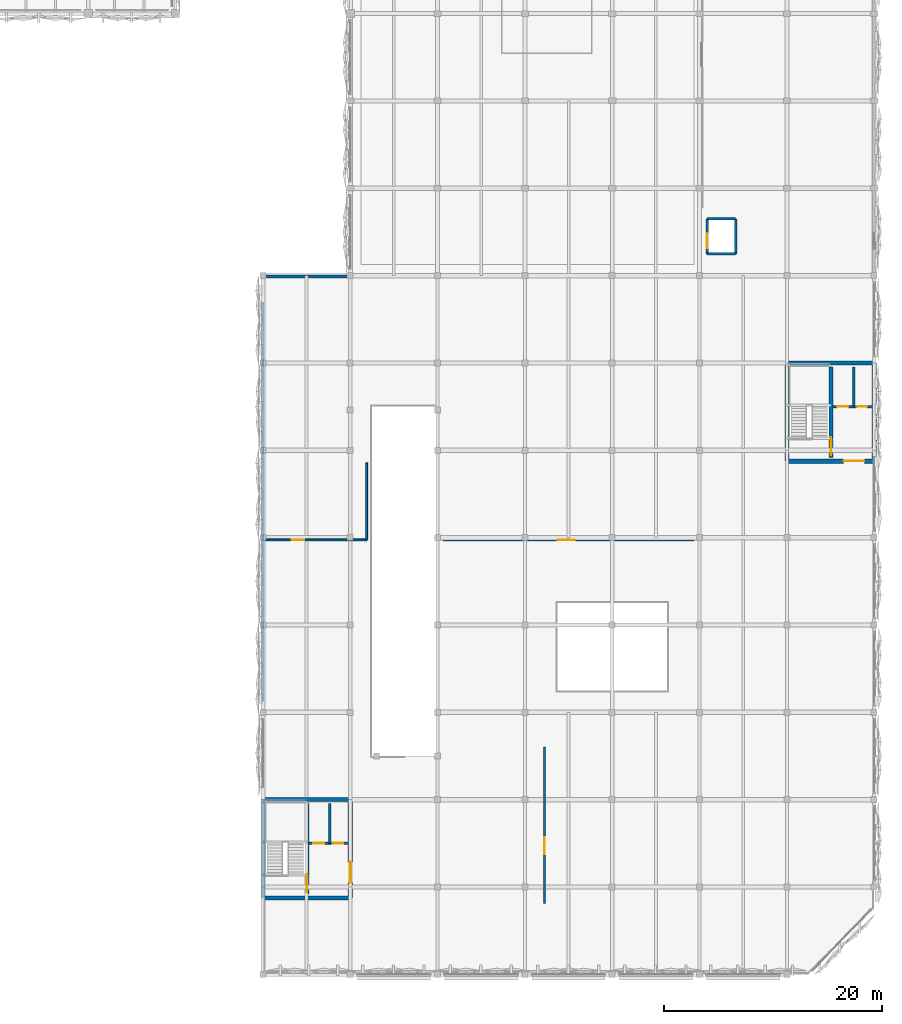
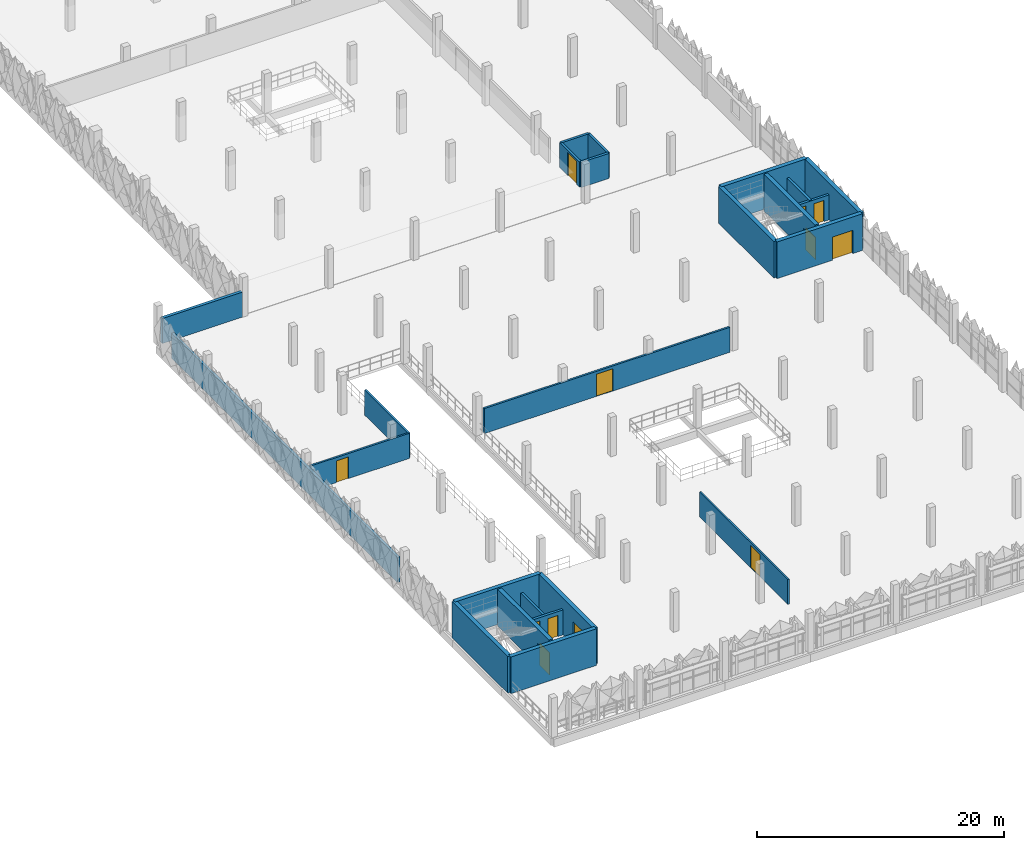
# One storey, part 42 of 83: 24 walls, 12 doors, 12 openings.
"""IFC4 building model written with IfcOpenShell, lengths in metres."""

from ifc_helpers import new_model, si_unit, derived_unit, direction, frame, frame_2d, origin, place, context, subcontext, project, spatial, rectangle, extrude, material, layer, layer_set, type_object, element, fill, save


model = new_model("IFC4")

# Units and contexts
model_context = context("Model", 3, precision=1e-05, world=origin(), true_north=direction((0.0, 1.0)))
body_context = subcontext(model_context, "Body", "Model", "MODEL_VIEW")
ifc_project = project(units=[si_unit("LENGTHUNIT", "METRE"), si_unit("AREAUNIT", "SQUARE_METRE"), si_unit("VOLUMEUNIT", "CUBIC_METRE"), si_unit("PLANEANGLEUNIT", "RADIAN"), si_unit("MASSUNIT", "GRAM", prefix="KILO"), si_unit("THERMODYNAMICTEMPERATUREUNIT", "KELVIN"), derived_unit("THERMALTRANSMITTANCEUNIT", [(si_unit("POWERUNIT", "WATT"), 1), (si_unit("AREAUNIT", "SQUARE_METRE"), -1), (si_unit("THERMODYNAMICTEMPERATUREUNIT", "KELVIN"), -1)])], contexts=[model_context])

# Site, building, storey
site_placement = place(None, origin())
site = spatial("IfcSite", under=ifc_project, at=site_placement, CompositionType="ELEMENT")
building_placement = place(site_placement, origin())
building = spatial("IfcBuilding", under=site, at=building_placement, Name="Haiyu Intermodal Mobility Hub", CompositionType="ELEMENT")
storey_placement = place(building_placement, frame((0.0, 0.0, 13.39990234375)))
storey = spatial("IfcBuildingStorey", under=building, at=storey_placement, Name="L03", CompositionType="ELEMENT", Elevation=13.39990234375)

# Walls
ifc_material_1 = material(Name="Anodised aluminium 6063-T6", Category="aluminium")
ifc_layer_1 = layer(ifc_material_1, 0.280029296875)
ifc_layer_set_1 = layer_set([ifc_layer_1], Name="Anodised aluminium 6063-T6")
wall_type_1 = type_object("IfcWallType", Name="WAL-WE02", PredefinedType="STANDARD", material=ifc_layer_set_1)
wall_1_placement = place(storey_placement, frame((161.7451171875, 79.89990234375, 0.0), z_axis=(0.0, 0.0, 1.0), x_axis=(-1.0, 0.0, 0.0)))
element("IfcWall", 1, at=wall_1_placement, inside=storey, type_object=wall_type_1, Name="WAL-V5NC-L03-156", PredefinedType="STANDARD", context=body_context, shape_type="SweptSolid", body=[
    extrude(rectangle(XDim=7.490234375, YDim=0.280029296875, at=frame_2d((3.7451171875, 0.0))), origin(), (0.0, 0.0, 1.0), 2.47998046875),
])
ifc_material_2 = material(Name="Autoclaved aerated concrete block A5.0", Category="concrete")
ifc_layer_2 = layer(ifc_material_2, 0.22998046875)
ifc_layer_set_2 = layer_set([ifc_layer_2], Name="Autoclaved aerated concrete block A5.0")
wall_type_2 = type_object("IfcWallType", Name="WAL-WI01", PredefinedType="PARTITIONING", material=ifc_layer_set_2)
wall_2_placement = place(storey_placement, frame((160.1298828125, 28.0, 0.0), z_axis=(0.0, 0.0, 1.0), x_axis=(0.0, 1.0, 0.0)))
element("IfcWall", 2, at=wall_2_placement, inside=storey, type_object=wall_type_2, Name="WAL-CORE-C8-LSH-L03", PredefinedType="PARTITIONING", context=body_context, shape_type="SweptSolid", body=[
    extrude(rectangle(XDim=3.64990234375, YDim=0.22998046875, at=frame_2d((1.824951171875, 0.0))), origin(), (0.0, 0.0, 1.0), 2.47998046875),
])

# Wall, openings, doors
wall_3_placement = place(storey_placement, frame((158.2099609375, 28.0, 0.0), z_axis=(0.0, 0.0, 1.0), x_axis=(1.0, 0.0, 0.0)))
wall_3 = element("IfcWall", 3, at=wall_3_placement, inside=storey, type_object=wall_type_2, Name="WAL-CORE-C8-LFT-L03", PredefinedType="PARTITIONING", context=body_context, shape_type="SweptSolid", body=[
    extrude(rectangle(XDim=3.630126953125, YDim=0.22998046875, at=frame_2d((1.81494140625, 0.0))), origin(), (0.0, 0.0, 1.0), 2.47998046875),
])
opening_1_placement = place(wall_3_placement, frame((0.3798828125, 0.0, 0.0)))
opening_1 = element("IfcOpeningElement", 4, at=opening_1_placement, cuts=wall_3, Name="Opening LD02", PredefinedType="OPENING", context=body_context, shape_type="SweptSolid", body=[
    extrude(rectangle(XDim=1.050048828125, YDim=2.14990234375, at=frame_2d((0.52490234375, 1.074951171875))), frame((0.0, 0.125, 0.0), z_axis=(0.0, -1.0, 0.0), x_axis=(1.0, 0.0, 0.0)), (0.0, 0.0, 1.0), 0.25),
])
opening_2_placement = place(wall_3_placement, frame((2.179931640625, 0.0, 0.0)))
opening_2 = element("IfcOpeningElement", 5, at=opening_2_placement, cuts=wall_3, Name="Opening DI07", PredefinedType="OPENING", context=body_context, shape_type="SweptSolid", body=[
    extrude(rectangle(XDim=0.949951171875, YDim=2.10009765625, at=frame_2d((0.47509765625, 1.050048828125))), frame((0.0, 0.125, 0.0), z_axis=(0.0, -1.0, 0.0), x_axis=(1.0, 0.0, 0.0)), (0.0, 0.0, 1.0), 0.25),
])
ifc_material_3 = material(Name="Steel Q355C", Category="steel")
door_type_1 = type_object("IfcDoorType", Name="DR-DI07", OperationType="NOTDEFINED", PredefinedType="DOOR", material=ifc_material_3)
door_1_placement = place(opening_2_placement, origin())
door_1 = element("IfcDoor", 6, at=door_1_placement, inside=storey, type_object=door_type_1, Name="Core C8 Accessible WC Door L03", OperationType="SINGLE_SWING_RIGHT", OverallHeight=2.10009765625, OverallWidth=0.949951171875, PredefinedType="DOOR", context=body_context, shape_type="SweptSolid", body=[
    extrude(rectangle(XDim=0.949951171875, YDim=2.10009765625, at=frame_2d((0.47509765625, 1.050048828125))), frame((0.0, 0.02490234375, 0.0), z_axis=(0.0, -1.0, 0.0), x_axis=(1.0, 0.0, 0.0)), (0.0, 0.0, 1.0), 0.050048828125),
])
fill(opening_2, door_1)
door_type_2 = type_object("IfcDoorType", Name="DR-LD02", OperationType="DOUBLE_DOOR_SLIDING", PredefinedType="DOOR", material=ifc_material_3)
door_2_placement = place(opening_1_placement, origin())
door_2 = element("IfcDoor", 7, at=door_2_placement, inside=storey, type_object=door_type_2, Name="Lift PL-03 Sliding Landing Door L03", OperationType="SLIDING_TO_LEFT", OverallHeight=2.14990234375, OverallWidth=1.050048828125, PredefinedType="DOOR", context=body_context, shape_type="SweptSolid", body=[
    extrude(rectangle(XDim=1.050048828125, YDim=2.14990234375, at=frame_2d((0.52490234375, 1.074951171875))), frame((0.0, 0.02490234375, 0.0), z_axis=(0.0, -1.0, 0.0), x_axis=(1.0, 0.0, 0.0)), (0.0, 0.0, 1.0), 0.050048828125),
])
fill(opening_1, door_2)

# Wall
wall_4_placement = place(storey_placement, frame((208.1298828125, 68.0, 0.0), z_axis=(0.0, 0.0, 1.0), x_axis=(0.0, 1.0, 0.0)))
element("IfcWall", 8, at=wall_4_placement, inside=storey, type_object=wall_type_2, Name="WAL-CORE-C9-LSH-L03", PredefinedType="PARTITIONING", context=body_context, shape_type="SweptSolid", body=[
    extrude(rectangle(XDim=3.64990234375, YDim=0.22998046875, at=frame_2d((1.824951171875, 0.0))), origin(), (0.0, 0.0, 1.0), 2.47998046875),
])

# Wall, openings, doors
wall_5_placement = place(storey_placement, frame((206.2099609375, 68.0, 0.0), z_axis=(0.0, 0.0, 1.0), x_axis=(1.0, 0.0, 0.0)))
wall_5 = element("IfcWall", 9, at=wall_5_placement, inside=storey, type_object=wall_type_2, Name="WAL-CORE-C9-LFT-L03", PredefinedType="PARTITIONING", context=body_context, shape_type="SweptSolid", body=[
    extrude(rectangle(XDim=3.630126953125, YDim=0.22998046875, at=frame_2d((1.81494140625, 0.0))), origin(), (0.0, 0.0, 1.0), 2.47998046875),
])
opening_3_placement = place(wall_5_placement, frame((0.3798828125, 0.0, 0.0)))
opening_3 = element("IfcOpeningElement", 10, at=opening_3_placement, cuts=wall_5, Name="Opening LD02", PredefinedType="OPENING", context=body_context, shape_type="SweptSolid", body=[
    extrude(rectangle(XDim=1.050048828125, YDim=2.14990234375, at=frame_2d((0.52490234375, 1.074951171875))), frame((0.0, 0.125, 0.0), z_axis=(0.0, -1.0, 0.0), x_axis=(1.0, 0.0, 0.0)), (0.0, 0.0, 1.0), 0.25),
])
opening_4_placement = place(wall_5_placement, frame((2.179931640625, 0.0, 0.0)))
opening_4 = element("IfcOpeningElement", 11, at=opening_4_placement, cuts=wall_5, Name="Opening DI07", PredefinedType="OPENING", context=body_context, shape_type="SweptSolid", body=[
    extrude(rectangle(XDim=0.949951171875, YDim=2.10009765625, at=frame_2d((0.47509765625, 1.050048828125))), frame((0.0, 0.125, 0.0), z_axis=(0.0, -1.0, 0.0), x_axis=(1.0, 0.0, 0.0)), (0.0, 0.0, 1.0), 0.25),
])
door_3_placement = place(opening_4_placement, origin())
door_3 = element("IfcDoor", 12, at=door_3_placement, inside=storey, type_object=door_type_1, Name="Core C9 Accessible WC Door L03", OperationType="SINGLE_SWING_RIGHT", OverallHeight=2.10009765625, OverallWidth=0.949951171875, PredefinedType="DOOR", context=body_context, shape_type="SweptSolid", body=[
    extrude(rectangle(XDim=0.949951171875, YDim=2.10009765625, at=frame_2d((0.47509765625, 1.050048828125))), frame((0.0, 0.02490234375, 0.0), z_axis=(0.0, -1.0, 0.0), x_axis=(1.0, 0.0, 0.0)), (0.0, 0.0, 1.0), 0.050048828125),
])
fill(opening_4, door_3)
door_4_placement = place(opening_3_placement, origin())
door_4 = element("IfcDoor", 13, at=door_4_placement, inside=storey, type_object=door_type_2, Name="Lift PL-04 Sliding Landing Door L03", OperationType="SLIDING_TO_LEFT", OverallHeight=2.14990234375, OverallWidth=1.050048828125, PredefinedType="DOOR", context=body_context, shape_type="SweptSolid", body=[
    extrude(rectangle(XDim=1.050048828125, YDim=2.14990234375, at=frame_2d((0.52490234375, 1.074951171875))), frame((0.0, 0.02490234375, 0.0), z_axis=(0.0, -1.0, 0.0), x_axis=(1.0, 0.0, 0.0)), (0.0, 0.0, 1.0), 0.050048828125),
])
fill(opening_3, door_4)

# Wall, opening, door
wall_6_placement = place(storey_placement, frame((194.699951171875, 82.0, 0.0), z_axis=(0.0, 0.0, 1.0), x_axis=(0.0, 1.0, 0.0)))
wall_6 = element("IfcWall", 14, at=wall_6_placement, inside=storey, type_object=wall_type_2, Name="WAL-GL-01-W-L03", PredefinedType="PARTITIONING", context=body_context, shape_type="SweptSolid", body=[
    extrude(rectangle(XDim=3.199951171875, YDim=0.22998046875, at=frame_2d((1.60009765625, 0.0))), origin(), (0.0, 0.0, 1.0), 2.47998046875),
])
opening_5_placement = place(wall_6_placement, frame((0.5, 0.0, 0.0)))
opening_5 = element("IfcOpeningElement", 15, at=opening_5_placement, cuts=wall_6, Name="Opening LD03", PredefinedType="OPENING", context=body_context, shape_type="SweptSolid", body=[
    extrude(rectangle(XDim=1.39990234375, YDim=2.300048828125, at=frame_2d((0.699951171875, 1.14990234375))), frame((0.0, 0.125, 0.0), z_axis=(0.0, -1.0, 0.0), x_axis=(1.0, 0.0, 0.0)), (0.0, 0.0, 1.0), 0.25),
])
door_type_3 = type_object("IfcDoorType", Name="DR-LD03", OperationType="DOUBLE_DOOR_SLIDING", PredefinedType="DOOR", material=ifc_material_3)
door_5_placement = place(opening_5_placement, origin())
door_5 = element("IfcDoor", 16, at=door_5_placement, inside=storey, type_object=door_type_3, Name="Goods Lift GL-01 Sliding Door L03", OperationType="SLIDING_TO_RIGHT", OverallHeight=2.300048828125, OverallWidth=1.39990234375, PredefinedType="DOOR", context=body_context, shape_type="SweptSolid", body=[
    extrude(rectangle(XDim=1.39990234375, YDim=2.300048828125, at=frame_2d((0.699951171875, 1.14990234375))), frame((0.0, 0.02490234375, 0.0), z_axis=(0.0, -1.0, 0.0), x_axis=(1.0, 0.0, 0.0)), (0.0, 0.0, 1.0), 0.050048828125),
])
fill(opening_5, door_5)

# Walls
wall_7_placement = place(storey_placement, frame((194.699951171875, 85.199951171875, 0.0), z_axis=(0.0, 0.0, 1.0), x_axis=(1.0, 0.0, 0.0)))
element("IfcWall", 17, at=wall_7_placement, inside=storey, type_object=wall_type_2, Name="WAL-GL-01-N-L03", PredefinedType="PARTITIONING", context=body_context, shape_type="SweptSolid", body=[
    extrude(rectangle(XDim=2.60009765625, YDim=0.22998046875, at=frame_2d((1.300048828125, 0.0))), origin(), (0.0, 0.0, 1.0), 2.47998046875),
])
wall_8_placement = place(storey_placement, frame((197.300048828125, 85.199951171875, 0.0), z_axis=(0.0, 0.0, 1.0), x_axis=(0.0, -1.0, 0.0)))
element("IfcWall", 18, at=wall_8_placement, inside=storey, type_object=wall_type_2, Name="WAL-GL-01-E-L03", PredefinedType="PARTITIONING", context=body_context, shape_type="SweptSolid", body=[
    extrude(rectangle(XDim=3.199951171875, YDim=0.22998046875, at=frame_2d((1.60009765625, 0.0))), origin(), (0.0, 0.0, 1.0), 2.47998046875),
])
wall_9_placement = place(storey_placement, frame((197.300048828125, 82.0, 0.0), z_axis=(0.0, 0.0, 1.0), x_axis=(-1.0, 0.0, 0.0)))
element("IfcWall", 19, at=wall_9_placement, inside=storey, type_object=wall_type_2, Name="WAL-GL-01-S-L03", PredefinedType="PARTITIONING", context=body_context, shape_type="SweptSolid", body=[
    extrude(rectangle(XDim=2.60009765625, YDim=0.22998046875, at=frame_2d((1.300048828125, 0.0))), origin(), (0.0, 0.0, 1.0), 2.47998046875),
])
wall_10_placement = place(storey_placement, frame((154.0, 41.0, 0.0), z_axis=(0.0, 0.0, 1.0), x_axis=(0.0, 1.0, 0.0)))
element("IfcWall", 20, at=wall_10_placement, inside=storey, type_object=wall_type_2, Name="WAL-INT-0012", PredefinedType="PARTITIONING", context=body_context, shape_type="SweptSolid", body=[
    extrude(rectangle(XDim=36.60009765625, YDim=0.22998046875, at=frame_2d((18.300048828125, 0.0))), origin(), (0.0, 0.0, 1.0), 2.47998046875),
])

# Wall, opening, door
ifc_layer_3 = layer(ifc_material_2, 0.179931640625)
ifc_layer_set_3 = layer_set([ifc_layer_3], Name="Autoclaved aerated concrete block A5.0")
wall_type_3 = type_object("IfcWallType", Name="WAL-WI03", PredefinedType="PARTITIONING", material=ifc_layer_set_3)
wall_11_placement = place(storey_placement, frame((154.14990234375, 55.800048828125, 0.0), z_axis=(0.0, 0.0, 1.0), x_axis=(1.0, 0.0, 0.0)))
wall_11 = element("IfcWall", 21, at=wall_11_placement, inside=storey, type_object=wall_type_3, Name="WAL-SHWR-L03", PredefinedType="PARTITIONING", context=body_context, shape_type="SweptSolid", body=[
    extrude(rectangle(XDim=9.35009765625, YDim=0.179931640625, at=frame_2d((4.675048828125, 0.0))), origin(), (0.0, 0.0, 1.0), 2.47998046875),
])
opening_6_placement = place(wall_11_placement, frame((2.5, 0.0, 0.0)))
opening_6 = element("IfcOpeningElement", 22, at=opening_6_placement, cuts=wall_11, Name="Opening DI05", PredefinedType="OPENING", context=body_context, shape_type="SweptSolid", body=[
    extrude(rectangle(XDim=1.14990234375, YDim=2.14990234375, at=frame_2d((0.574951171875, 1.074951171875))), frame((0.0, 0.10009765625, 0.0), z_axis=(0.0, -1.0, 0.0), x_axis=(1.0, 0.0, 0.0)), (0.0, 0.0, 1.0), 0.199951171875),
])
door_type_4 = type_object("IfcDoorType", Name="DR-DI05", OperationType="NOTDEFINED", PredefinedType="DOOR", material=ifc_material_3)
door_6_placement = place(opening_6_placement, origin())
door_6 = element("IfcDoor", 23, at=door_6_placement, inside=storey, type_object=door_type_4, Name="Cyclist Shower Door", OperationType="SINGLE_SWING_LEFT", OverallHeight=2.14990234375, OverallWidth=1.14990234375, PredefinedType="DOOR", context=body_context, shape_type="SweptSolid", body=[
    extrude(rectangle(XDim=1.14990234375, YDim=2.14990234375, at=frame_2d((0.574951171875, 1.074951171875))), frame((0.0, 0.02490234375, 0.0), z_axis=(0.0, -1.0, 0.0), x_axis=(1.0, 0.0, 0.0)), (0.0, 0.0, 1.0), 0.050048828125),
])
fill(opening_6, door_6)

# Wall
wall_12_placement = place(storey_placement, frame((163.5, 55.800048828125, 0.0), z_axis=(0.0, 0.0, 1.0), x_axis=(0.0, 1.0, 0.0)))
element("IfcWall", 24, at=wall_12_placement, inside=storey, type_object=wall_type_3, Name="WAL-SHWRE-L03", PredefinedType="PARTITIONING", context=body_context, shape_type="SweptSolid", body=[
    extrude(rectangle(XDim=7.050048828125, YDim=0.179931640625, at=frame_2d((3.52490234375, 0.0))), origin(), (0.0, 0.0, 1.0), 2.47998046875),
])

# Wall, opening, door
wall_13_placement = place(storey_placement, frame((170.5, 55.800048828125, 0.0), z_axis=(0.0, 0.0, 1.0), x_axis=(1.0, 0.0, 0.0)))
wall_13 = element("IfcWall", 25, at=wall_13_placement, inside=storey, type_object=wall_type_3, Name="WAL-INT-0036", PredefinedType="PARTITIONING", context=body_context, shape_type="SweptSolid", body=[
    extrude(rectangle(XDim=23.0, YDim=0.179931640625, at=frame_2d((11.5, 0.0))), origin(), (0.0, 0.0, 1.0), 2.47998046875),
])
opening_7_placement = place(wall_13_placement, frame((10.5, 0.0, 0.0)))
opening_7 = element("IfcOpeningElement", 26, at=opening_7_placement, cuts=wall_13, Name="Opening DI04", PredefinedType="OPENING", context=body_context, shape_type="SweptSolid", body=[
    extrude(rectangle(XDim=1.550048828125, YDim=2.199951171875, at=frame_2d((0.77490234375, 1.10009765625))), frame((0.0, 0.10009765625, 0.0), z_axis=(0.0, -1.0, 0.0), x_axis=(1.0, 0.0, 0.0)), (0.0, 0.0, 1.0), 0.199951171875),
])
door_type_5 = type_object("IfcDoorType", Name="DR-DI04", OperationType="DOUBLE_DOOR_SINGLE_SWING", PredefinedType="DOOR", material=ifc_material_3)
door_7_placement = place(opening_7_placement, origin())
door_7 = element("IfcDoor", 27, at=door_7_placement, inside=storey, type_object=door_type_5, Name="Safety Training Room Door", OperationType="DOUBLE_SWING_RIGHT", OverallHeight=2.199951171875, OverallWidth=1.550048828125, PredefinedType="DOOR", context=body_context, shape_type="SweptSolid", body=[
    extrude(rectangle(XDim=1.550048828125, YDim=2.199951171875, at=frame_2d((0.77490234375, 1.10009765625))), frame((0.0, 0.02490234375, 0.0), z_axis=(0.0, -1.0, 0.0), x_axis=(1.0, 0.0, 0.0)), (0.0, 0.0, 1.0), 0.050048828125),
])
fill(opening_7, door_7)

ifc_material_4 = material(Name="Fire-rated gypsum and rockwool partition", Category="gypsum")
ifc_layer_4 = layer(ifc_material_4, 0.14990234375)
ifc_layer_set_4 = layer_set([ifc_layer_4], Name="Fire-rated gypsum and rockwool partition")
wall_type_4 = type_object("IfcWallType", Name="WAL-WI04", PredefinedType="PARTITIONING", material=ifc_layer_set_4)
wall_14_placement = place(storey_placement, frame((179.800048828125, 22.5, 0.0), z_axis=(0.0, 0.0, 1.0), x_axis=(0.0, 1.0, 0.0)))
wall_14 = element("IfcWall", 28, at=wall_14_placement, inside=storey, type_object=wall_type_4, Name="WAL-INT-0037", PredefinedType="PARTITIONING", context=body_context, shape_type="SweptSolid", body=[
    extrude(rectangle(XDim=14.300048828125, YDim=0.14990234375, at=frame_2d((7.14990234375, 0.0))), origin(), (0.0, 0.0, 1.0), 2.47998046875),
])
opening_8_placement = place(wall_14_placement, frame((4.5, 0.0, 0.0)))
opening_8 = element("IfcOpeningElement", 29, at=opening_8_placement, cuts=wall_14, Name="Opening DI04", PredefinedType="OPENING", context=body_context, shape_type="SweptSolid", body=[
    extrude(rectangle(XDim=1.550048828125, YDim=2.199951171875, at=frame_2d((0.77490234375, 1.10009765625))), frame((0.0, 0.0849609375, 0.0), z_axis=(0.0, -1.0, 0.0), x_axis=(1.0, 0.0, 0.0)), (0.0, 0.0, 1.0), 0.169921875),
])
door_8_placement = place(opening_8_placement, origin())
door_8 = element("IfcDoor", 30, at=door_8_placement, inside=storey, type_object=door_type_5, Name="Espresso Cafe Door", OperationType="DOUBLE_SWING_LEFT", OverallHeight=2.199951171875, OverallWidth=1.550048828125, PredefinedType="DOOR", context=body_context, shape_type="SweptSolid", body=[
    extrude(rectangle(XDim=1.550048828125, YDim=2.199951171875, at=frame_2d((0.77490234375, 1.10009765625))), frame((0.0, 0.02490234375, 0.0), z_axis=(0.0, -1.0, 0.0), x_axis=(1.0, 0.0, 0.0)), (0.0, 0.0, 1.0), 0.050048828125),
])
fill(opening_8, door_8)

# Wall
ifc_material_5 = material(Name="Concrete C40", Category="concrete")
ifc_layer_5 = layer(ifc_material_5, 0.3798828125)
ifc_layer_set_5 = layer_set([ifc_layer_5], Name="Concrete C40")
wall_type_5 = type_object("IfcWallType", Name="WAL-WS03", PredefinedType="SHEAR", material=ifc_layer_set_5)
wall_15_placement = place(storey_placement, frame((154.0, 23.0, 0.0), z_axis=(0.0, 0.0, 1.0), x_axis=(1.0, 0.0, 0.0)))
element("IfcWall", 31, at=wall_15_placement, inside=storey, type_object=wall_type_5, Name="WAL-CORE-C8-S-L03", PredefinedType="SHEAR", context=body_context, shape_type="SweptSolid", body=[
    extrude(rectangle(XDim=8.0, YDim=0.3798828125, at=frame_2d((4.0, 0.0))), origin(), (0.0, 0.0, 1.0), 3.6201171875),
])

# Wall, opening, door
wall_16_placement = place(storey_placement, frame((162.0, 23.0, 0.0), z_axis=(0.0, 0.0, 1.0), x_axis=(0.0, 1.0, 0.0)))
wall_16 = element("IfcWall", 32, at=wall_16_placement, inside=storey, type_object=wall_type_5, Name="WAL-CORE-C8-E-L03", PredefinedType="SHEAR", context=body_context, shape_type="SweptSolid", body=[
    extrude(rectangle(XDim=9.0, YDim=0.3798828125, at=frame_2d((4.5, 0.0))), origin(), (0.0, 0.0, 1.0), 3.6201171875),
])
opening_9_placement = place(wall_16_placement, frame((1.39990234375, 0.0, 0.0)))
opening_9 = element("IfcOpeningElement", 33, at=opening_9_placement, cuts=wall_16, Name="Opening DI01", PredefinedType="OPENING", context=body_context, shape_type="SweptSolid", body=[
    extrude(rectangle(XDim=1.89990234375, YDim=2.300048828125, at=frame_2d((0.949951171875, 1.14990234375))), frame((0.0, 0.199951171875, 0.0), z_axis=(0.0, -1.0, 0.0), x_axis=(1.0, 0.0, 0.0)), (0.0, 0.0, 1.0), 0.39990234375),
])
door_type_6 = type_object("IfcDoorType", Name="DR-DI01", OperationType="DOUBLE_DOOR_SINGLE_SWING", PredefinedType="DOOR", material=ifc_material_3)
door_9_placement = place(opening_9_placement, origin())
door_9 = element("IfcDoor", 34, at=door_9_placement, inside=storey, type_object=door_type_6, Name="Core C8 Lobby Fire Door L03", OperationType="SINGLE_SWING_LEFT", OverallHeight=2.300048828125, OverallWidth=1.89990234375, PredefinedType="DOOR", context=body_context, shape_type="SweptSolid", body=[
    extrude(rectangle(XDim=1.89990234375, YDim=2.300048828125, at=frame_2d((0.949951171875, 1.14990234375))), frame((0.0, 0.02490234375, 0.0), z_axis=(0.0, -1.0, 0.0), x_axis=(1.0, 0.0, 0.0)), (0.0, 0.0, 1.0), 0.050048828125),
])
fill(opening_9, door_9)

# Walls
wall_17_placement = place(storey_placement, frame((162.0, 32.0, 0.0), z_axis=(0.0, 0.0, 1.0), x_axis=(-1.0, 0.0, 0.0)))
element("IfcWall", 35, at=wall_17_placement, inside=storey, type_object=wall_type_5, Name="WAL-CORE-C8-N-L03", PredefinedType="SHEAR", context=body_context, shape_type="SweptSolid", body=[
    extrude(rectangle(XDim=8.0, YDim=0.3798828125, at=frame_2d((4.0, 0.0))), origin(), (0.0, 0.0, 1.0), 3.6201171875),
])
wall_18_placement = place(storey_placement, frame((154.0, 32.0, 0.0), z_axis=(0.0, 0.0, 1.0), x_axis=(0.0, -1.0, 0.0)))
element("IfcWall", 36, at=wall_18_placement, inside=storey, type_object=wall_type_5, Name="WAL-CORE-C8-W-L03", PredefinedType="SHEAR", context=body_context, shape_type="SweptSolid", body=[
    extrude(rectangle(XDim=9.0, YDim=0.3798828125, at=frame_2d((4.5, 0.0))), origin(), (0.0, 0.0, 1.0), 3.6201171875),
])

# Wall, opening, door
wall_19_placement = place(storey_placement, frame((158.050048828125, 23.35009765625, 0.0), z_axis=(0.0, 0.0, 1.0), x_axis=(0.0, 1.0, 0.0)))
wall_19 = element("IfcWall", 37, at=wall_19_placement, inside=storey, type_object=wall_type_5, Name="WAL-CORE-C8-MID-L03", PredefinedType="SHEAR", context=body_context, shape_type="SweptSolid", body=[
    extrude(rectangle(XDim=8.2998046875, YDim=0.3798828125, at=frame_2d((4.14990234375, 0.0))), origin(), (0.0, 0.0, 1.0), 3.6201171875),
])
opening_10_placement = place(wall_19_placement, frame((0.179931640625, 0.0, 0.0)))
opening_10 = element("IfcOpeningElement", 38, at=opening_10_placement, cuts=wall_19, Name="Opening DI02", PredefinedType="OPENING", context=body_context, shape_type="SweptSolid", body=[
    extrude(rectangle(XDim=1.64990234375, YDim=2.199951171875, at=frame_2d((0.824951171875, 1.10009765625))), frame((0.0, 0.199951171875, 0.0), z_axis=(0.0, -1.0, 0.0), x_axis=(1.0, 0.0, 0.0)), (0.0, 0.0, 1.0), 0.39990234375),
])
door_type_7 = type_object("IfcDoorType", Name="DR-DI02", OperationType="DOUBLE_DOOR_SINGLE_SWING", PredefinedType="DOOR", material=ifc_material_3)
door_10_placement = place(opening_10_placement, origin())
door_10 = element("IfcDoor", 39, at=door_10_placement, inside=storey, type_object=door_type_7, Name="Stair ST02 Fire Door L03", OperationType="SINGLE_SWING_LEFT", OverallHeight=2.199951171875, OverallWidth=1.64990234375, PredefinedType="DOOR", context=body_context, shape_type="SweptSolid", body=[
    extrude(rectangle(XDim=1.64990234375, YDim=2.199951171875, at=frame_2d((0.824951171875, 1.10009765625))), frame((0.0, 0.02490234375, 0.0), z_axis=(0.0, -1.0, 0.0), x_axis=(1.0, 0.0, 0.0)), (0.0, 0.0, 1.0), 0.050048828125),
])
fill(opening_10, door_10)

wall_20_placement = place(storey_placement, frame((202.0, 63.0, 0.0), z_axis=(0.0, 0.0, 1.0), x_axis=(1.0, 0.0, 0.0)))
wall_20 = element("IfcWall", 40, at=wall_20_placement, inside=storey, type_object=wall_type_5, Name="WAL-CORE-C9-S-L03", PredefinedType="SHEAR", context=body_context, shape_type="SweptSolid", body=[
    extrude(rectangle(XDim=8.0, YDim=0.3798828125, at=frame_2d((4.0, 0.0))), origin(), (0.0, 0.0, 1.0), 3.6201171875),
])
opening_11_placement = place(wall_20_placement, frame((5.199951171875, 0.0, 0.0)))
opening_11 = element("IfcOpeningElement", 41, at=opening_11_placement, cuts=wall_20, Name="Opening DI01", PredefinedType="OPENING", context=body_context, shape_type="SweptSolid", body=[
    extrude(rectangle(XDim=1.89990234375, YDim=2.300048828125, at=frame_2d((0.949951171875, 1.14990234375))), frame((0.0, 0.199951171875, 0.0), z_axis=(0.0, -1.0, 0.0), x_axis=(1.0, 0.0, 0.0)), (0.0, 0.0, 1.0), 0.39990234375),
])
door_11_placement = place(opening_11_placement, origin())
door_11 = element("IfcDoor", 42, at=door_11_placement, inside=storey, type_object=door_type_6, Name="Core C9 Lobby Fire Door L03", OperationType="SINGLE_SWING_RIGHT", OverallHeight=2.300048828125, OverallWidth=1.89990234375, PredefinedType="DOOR", context=body_context, shape_type="SweptSolid", body=[
    extrude(rectangle(XDim=1.89990234375, YDim=2.300048828125, at=frame_2d((0.949951171875, 1.14990234375))), frame((0.0, 0.02490234375, 0.0), z_axis=(0.0, -1.0, 0.0), x_axis=(1.0, 0.0, 0.0)), (0.0, 0.0, 1.0), 0.050048828125),
])
fill(opening_11, door_11)

# Walls
wall_21_placement = place(storey_placement, frame((210.0, 63.0, 0.0), z_axis=(0.0, 0.0, 1.0), x_axis=(0.0, 1.0, 0.0)))
element("IfcWall", 43, at=wall_21_placement, inside=storey, type_object=wall_type_5, Name="WAL-CORE-C9-E-L03", PredefinedType="SHEAR", context=body_context, shape_type="SweptSolid", body=[
    extrude(rectangle(XDim=9.0, YDim=0.3798828125, at=frame_2d((4.5, 0.0))), origin(), (0.0, 0.0, 1.0), 3.6201171875),
])
wall_22_placement = place(storey_placement, frame((210.0, 72.0, 0.0), z_axis=(0.0, 0.0, 1.0), x_axis=(-1.0, 0.0, 0.0)))
element("IfcWall", 44, at=wall_22_placement, inside=storey, type_object=wall_type_5, Name="WAL-CORE-C9-N-L03", PredefinedType="SHEAR", context=body_context, shape_type="SweptSolid", body=[
    extrude(rectangle(XDim=8.0, YDim=0.3798828125, at=frame_2d((4.0, 0.0))), origin(), (0.0, 0.0, 1.0), 3.6201171875),
])
wall_23_placement = place(storey_placement, frame((202.0, 72.0, 0.0), z_axis=(0.0, 0.0, 1.0), x_axis=(0.0, -1.0, 0.0)))
element("IfcWall", 45, at=wall_23_placement, inside=storey, type_object=wall_type_5, Name="WAL-CORE-C9-W-L03", PredefinedType="SHEAR", context=body_context, shape_type="SweptSolid", body=[
    extrude(rectangle(XDim=9.0, YDim=0.3798828125, at=frame_2d((4.5, 0.0))), origin(), (0.0, 0.0, 1.0), 3.6201171875),
])

# Wall, opening, door
wall_24_placement = place(storey_placement, frame((206.050048828125, 63.35009765625, 0.0), z_axis=(0.0, 0.0, 1.0), x_axis=(0.0, 1.0, 0.0)))
wall_24 = element("IfcWall", 46, at=wall_24_placement, inside=storey, type_object=wall_type_5, Name="WAL-CORE-C9-MID-L03", PredefinedType="SHEAR", context=body_context, shape_type="SweptSolid", body=[
    extrude(rectangle(XDim=8.2998046875, YDim=0.3798828125, at=frame_2d((4.14990234375, 0.0))), origin(), (0.0, 0.0, 1.0), 3.6201171875),
])
opening_12_placement = place(wall_24_placement, frame((0.179931640625, 0.0, 0.0)))
opening_12 = element("IfcOpeningElement", 47, at=opening_12_placement, cuts=wall_24, Name="Opening DI02", PredefinedType="OPENING", context=body_context, shape_type="SweptSolid", body=[
    extrude(rectangle(XDim=1.64990234375, YDim=2.199951171875, at=frame_2d((0.824951171875, 1.10009765625))), frame((0.0, 0.199951171875, 0.0), z_axis=(0.0, -1.0, 0.0), x_axis=(1.0, 0.0, 0.0)), (0.0, 0.0, 1.0), 0.39990234375),
])
door_12_placement = place(opening_12_placement, origin())
door_12 = element("IfcDoor", 48, at=door_12_placement, inside=storey, type_object=door_type_7, Name="Stair ST03 Fire Door L03", OperationType="SINGLE_SWING_RIGHT", OverallHeight=2.199951171875, OverallWidth=1.64990234375, PredefinedType="DOOR", context=body_context, shape_type="SweptSolid", body=[
    extrude(rectangle(XDim=1.64990234375, YDim=2.199951171875, at=frame_2d((0.824951171875, 1.10009765625))), frame((0.0, 0.02490234375, 0.0), z_axis=(0.0, -1.0, 0.0), x_axis=(1.0, 0.0, 0.0)), (0.0, 0.0, 1.0), 0.050048828125),
])
fill(opening_12, door_12)

save(model, "model.ifc")
